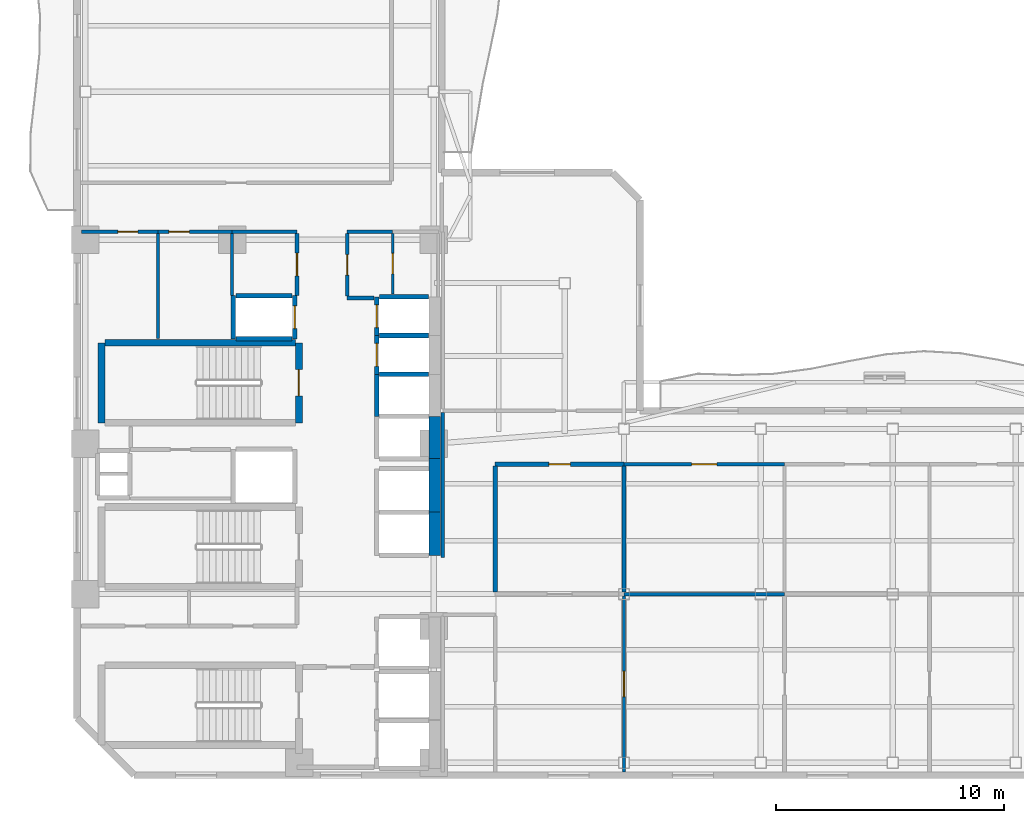
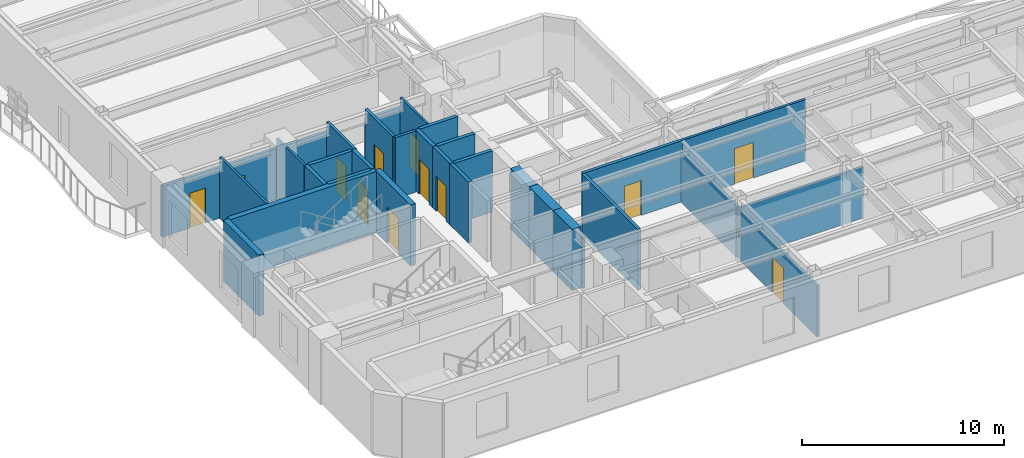
# One storey, part 4 of 9: 33 walls, 12 doors, 12 openings.
"""IFC4 building model written with IfcOpenShell, lengths in metres."""

from ifc_helpers import new_model, si_unit, direction, frame, frame_2d, origin, place, context, subcontext, project, spatial, rectangle, extrude, material, layer, layer_set, type_object, element, fill, save


model = new_model("IFC4")

# Units and contexts
model_context = context("Model", 3, precision=1e-05, world=origin(), true_north=direction((0.0, 1.0)))
body_context = subcontext(model_context, "Body", "Model", "MODEL_VIEW")
ifc_project = project(units=[si_unit("LENGTHUNIT", "METRE"), si_unit("AREAUNIT", "SQUARE_METRE"), si_unit("VOLUMEUNIT", "CUBIC_METRE"), si_unit("PLANEANGLEUNIT", "RADIAN"), si_unit("MASSUNIT", "GRAM", prefix="KILO")], contexts=[model_context])

# Site, building, storey
site_placement = place(None, origin())
site = spatial("IfcSite", under=ifc_project, at=site_placement, CompositionType="ELEMENT")
building_placement = place(site_placement, origin())
building = spatial("IfcBuilding", under=site, at=building_placement, Name="Mawjaban Terraces University", CompositionType="ELEMENT")
storey_placement = place(building_placement, frame((0.0, 0.0, 138.5)))
storey = spatial("IfcBuildingStorey", under=building, at=storey_placement, Name="L33", CompositionType="ELEMENT", Elevation=138.5)

# Wall, opening, door
ifc_material_1 = material(Name="Acoustic masonry blockwork", Category="masonry")
ifc_layer_1 = layer(ifc_material_1, 0.179931640625)
ifc_layer_set_1 = layer_set([ifc_layer_1], Name="Acoustic masonry blockwork")
wall_type_1 = type_object("IfcWallType", Name="AcousticStudioWall_180", PredefinedType="PARTITIONING", material=ifc_layer_set_1)
wall_1_placement = place(storey_placement, frame((40.35009765625, 13.64990234375, 0.0), z_axis=(0.0, 0.0, 1.0), x_axis=(1.0, 0.0, 0.0)))
wall_1 = element("IfcWall", 1, at=wall_1_placement, inside=storey, type_object=wall_type_1, Name="L33 Inner Terrace Gallery Corridor East Partition 16", PredefinedType="PARTITIONING", context=body_context, shape_type="SweptSolid", body=[
    extrude(rectangle(XDim=5.64990234375, YDim=0.179931640625, at=frame_2d((2.824951171875, 0.0))), origin(), (0.0, 0.0, 1.0), 3.68994140625),
])
opening_1_placement = place(wall_1_placement, frame((2.35009765625, 0.0, 0.0)))
opening_1 = element("IfcOpeningElement", 2, at=opening_1_placement, cuts=wall_1, Name="Opening ID-095", PredefinedType="OPENING", context=body_context, shape_type="SweptSolid", body=[
    extrude(rectangle(XDim=0.949951171875, YDim=2.10009765625, at=frame_2d((0.47509765625, 1.050048828125))), frame((0.0, 0.099853515625, 0.0), z_axis=(0.0, -1.0, 0.0), x_axis=(1.0, 0.0, 0.0)), (0.0, 0.0, 1.0), 0.199951171875),
])
ifc_material_2 = material(Name="Powder-coated steel frame and solid acoustic timber leaf", Category="steel")
door_type_1 = type_object("IfcDoorType", Name="StudioDoor_950x2100", OperationType="NOTDEFINED", PredefinedType="DOOR", material=ifc_material_2)
door_1_placement = place(opening_1_placement, origin())
door_1 = element("IfcDoor", 3, at=door_1_placement, inside=storey, type_object=door_type_1, Name="L33 Design Studio 3 Door", OperationType="SINGLE_SWING_LEFT", OverallHeight=2.10009765625, OverallWidth=0.949951171875, PredefinedType="DOOR", context=body_context, shape_type="SweptSolid", body=[
    extrude(rectangle(XDim=0.949951171875, YDim=2.10009765625, at=frame_2d((0.47509765625, 1.050048828125))), frame((0.0, 0.02490234375, 0.0), z_axis=(0.0, -1.0, 0.0), x_axis=(1.0, 0.0, 0.0)), (0.0, 0.0, 1.0), 0.050048828125),
])
fill(opening_1, door_1)

# Walls
wall_2_placement = place(storey_placement, frame((40.35009765625, 8.034912109375, 0.0), z_axis=(0.0, 0.0, 1.0), x_axis=(0.0, 1.0, 0.0)))
element("IfcWall", 4, at=wall_2_placement, inside=storey, type_object=wall_type_1, Name="L33 Inner Gallery Link Corridor Partition 44", PredefinedType="PARTITIONING", context=body_context, shape_type="SweptSolid", body=[
    extrude(rectangle(XDim=5.530029296875, YDim=0.179931640625, at=frame_2d((2.76513671875, 0.0))), origin(), (0.0, 0.0, 1.0), 3.68994140625),
])
wall_3_placement = place(storey_placement, frame((46.0, 8.034912109375, 0.0), z_axis=(0.0, 0.0, 1.0), x_axis=(0.0, 1.0, 0.0)))
element("IfcWall", 5, at=wall_3_placement, inside=storey, type_object=wall_type_1, Name="L33 Design Studio 3 Partition 46", PredefinedType="PARTITIONING", context=body_context, shape_type="SweptSolid", body=[
    extrude(rectangle(XDim=5.530029296875, YDim=0.179931640625, at=frame_2d((2.76513671875, 0.0))), origin(), (0.0, 0.0, 1.0), 3.072998046875),
])
ifc_material_3 = material(Name="Concrete C60/75", Category="concrete")
ifc_layer_2 = layer(ifc_material_3, 0.5)
ifc_layer_set_2 = layer_set([ifc_layer_2], Name="Concrete C60/75")
wall_type_2 = type_object("IfcWallType", Name="CoreShearWall_500", PredefinedType="SHEAR", material=ifc_layer_set_2)
wall_4_placement = place(storey_placement, frame((37.699951171875, 9.64990234375, 0.0), z_axis=(0.0, 0.0, 1.0), x_axis=(0.0, 1.0, 0.0)))
element("IfcWall", 6, at=wall_4_placement, inside=storey, type_object=wall_type_2, Name="L33 Lift PL-H1 Hoistway Wall East", PredefinedType="SHEAR", context=body_context, shape_type="SweptSolid", body=[
    extrude(rectangle(XDim=1.900146484375, YDim=0.5, at=frame_2d((0.9501953125, 0.0))), origin(), (0.0, 0.0, 1.0), 3.68994140625),
])
wall_5_placement = place(storey_placement, frame((37.699951171875, 11.550048828125, 0.0), z_axis=(0.0, 0.0, 1.0), x_axis=(0.0, 1.0, 0.0)))
element("IfcWall", 7, at=wall_5_placement, inside=storey, type_object=wall_type_2, Name="L33 Lift PL-H2 Hoistway Wall East", PredefinedType="SHEAR", context=body_context, shape_type="SweptSolid", body=[
    extrude(rectangle(XDim=2.349853515625, YDim=0.5, at=frame_2d((1.1748046875, 0.0))), origin(), (0.0, 0.0, 1.0), 3.68994140625),
])
wall_6_placement = place(storey_placement, frame((37.699951171875, 13.89990234375, 0.0), z_axis=(0.0, 0.0, 1.0), x_axis=(0.0, 1.0, 0.0)))
element("IfcWall", 8, at=wall_6_placement, inside=storey, type_object=wall_type_2, Name="L33 Lift OL-1 Hoistway Wall East", PredefinedType="SHEAR", context=body_context, shape_type="SweptSolid", body=[
    extrude(rectangle(XDim=1.85009765625, YDim=0.5, at=frame_2d((0.925048828125, 0.0))), origin(), (0.0, 0.0, 1.0), 3.68994140625),
])

# Wall, opening, door
ifc_material_4 = material(Name="Fire-rated gypsum board on steel stud", Category="steel")
ifc_layer_3 = layer(ifc_material_4, 0.159912109375)
ifc_layer_set_3 = layer_set([ifc_layer_3], Name="Fire-rated gypsum board on steel stud")
wall_type_3 = type_object("IfcWallType", Name="CorridorPartition_160", PredefinedType="PARTITIONING", material=ifc_layer_set_3)
wall_7_placement = place(storey_placement, frame((25.550048828125, 23.85009765625, 0.0), z_axis=(0.0, 0.0, 1.0), x_axis=(-1.0, 0.0, 0.0)))
wall_7 = element("IfcWall", 9, at=wall_7_placement, inside=storey, type_object=wall_type_3, Name="L33 Female Toilet Partition 3", PredefinedType="PARTITIONING", context=body_context, shape_type="SweptSolid", body=[
    extrude(rectangle(XDim=3.35009765625, YDim=0.159912109375, at=frame_2d((1.675048828125, 0.0))), origin(), (0.0, 0.0, 1.0), 3.072998046875),
])
opening_2_placement = place(wall_7_placement, frame((0.885009765625, 0.0, 0.0)))
opening_2 = element("IfcOpeningElement", 10, at=opening_2_placement, cuts=wall_7, Name="Opening ID-088", PredefinedType="OPENING", context=body_context, shape_type="SweptSolid", body=[
    extrude(rectangle(XDim=0.8798828125, YDim=2.10009765625, at=frame_2d((0.43994140625, 1.050048828125))), frame((0.0, 0.08984375, 0.0), z_axis=(0.0, -1.0, 0.0), x_axis=(1.0, 0.0, 0.0)), (0.0, 0.0, 1.0), 0.179931640625),
])
door_type_2 = type_object("IfcDoorType", Name="ToiletDoor_880x2100", OperationType="NOTDEFINED", PredefinedType="DOOR", material=ifc_material_2)
door_2_placement = place(opening_2_placement, origin())
door_2 = element("IfcDoor", 11, at=door_2_placement, inside=storey, type_object=door_type_2, Name="L33 Female Toilet Door", OperationType="SINGLE_SWING_LEFT", OverallHeight=2.10009765625, OverallWidth=0.8798828125, PredefinedType="DOOR", context=body_context, shape_type="SweptSolid", body=[
    extrude(rectangle(XDim=0.8798828125, YDim=2.10009765625, at=frame_2d((0.43994140625, 1.050048828125))), frame((0.0, 0.02490234375, 0.0), z_axis=(0.0, -1.0, 0.0), x_axis=(1.0, 0.0, 0.0)), (0.0, 0.0, 1.0), 0.050048828125),
])
fill(opening_2, door_2)

wall_8_placement = place(storey_placement, frame((28.800048828125, 23.85009765625, 0.0), z_axis=(0.0, 0.0, 1.0), x_axis=(-1.0, 0.0, 0.0)))
wall_8 = element("IfcWall", 12, at=wall_8_placement, inside=storey, type_object=wall_type_3, Name="L33 Staff Tea Pantry Partition 5", PredefinedType="PARTITIONING", context=body_context, shape_type="SweptSolid", body=[
    extrude(rectangle(XDim=3.25, YDim=0.159912109375, at=frame_2d((1.625, 0.0))), origin(), (0.0, 0.0, 1.0), 3.072998046875),
])
opening_3_placement = place(wall_8_placement, frame((1.875, 0.0, 0.0)))
opening_3 = element("IfcOpeningElement", 13, at=opening_3_placement, cuts=wall_8, Name="Opening ID-090", PredefinedType="OPENING", context=body_context, shape_type="SweptSolid", body=[
    extrude(rectangle(XDim=0.89990234375, YDim=2.10009765625, at=frame_2d((0.449951171875, 1.050048828125))), frame((0.0, 0.08984375, 0.0), z_axis=(0.0, -1.0, 0.0), x_axis=(1.0, 0.0, 0.0)), (0.0, 0.0, 1.0), 0.179931640625),
])
door_type_3 = type_object("IfcDoorType", Name="OfficeDoor_900x2100", OperationType="NOTDEFINED", PredefinedType="DOOR", material=ifc_material_2)
door_3_placement = place(opening_3_placement, origin())
door_3 = element("IfcDoor", 14, at=door_3_placement, inside=storey, type_object=door_type_3, Name="L33 Staff Tea Pantry Door", OperationType="SINGLE_SWING_RIGHT", OverallHeight=2.10009765625, OverallWidth=0.89990234375, PredefinedType="DOOR", context=body_context, shape_type="SweptSolid", body=[
    extrude(rectangle(XDim=0.89990234375, YDim=2.10009765625, at=frame_2d((0.449951171875, 1.050048828125))), frame((0.0, 0.02490234375, 0.0), z_axis=(0.0, -1.0, 0.0), x_axis=(1.0, 0.0, 0.0)), (0.0, 0.0, 1.0), 0.050048828125),
])
fill(opening_3, door_3)

# Walls
wall_9_placement = place(storey_placement, frame((31.64990234375, 23.85009765625, 0.0), z_axis=(0.0, 0.0, 1.0), x_axis=(-1.0, 0.0, 0.0)))
element("IfcWall", 15, at=wall_9_placement, inside=storey, type_object=wall_type_3, Name="L33 Academic Tutorial Alcove Partition 8", PredefinedType="PARTITIONING", context=body_context, shape_type="SweptSolid", body=[
    extrude(rectangle(XDim=2.849853515625, YDim=0.159912109375, at=frame_2d((1.4248046875, 0.0))), origin(), (0.0, 0.0, 1.0), 3.072998046875),
])
wall_10_placement = place(storey_placement, frame((35.02001953125, 20.949951171875, 0.0), z_axis=(0.0, 0.0, 1.0), x_axis=(-1.0, 0.0, 0.0)))
element("IfcWall", 16, at=wall_10_placement, inside=storey, type_object=wall_type_3, Name="L33 Passenger Lift Lobby Partition 10", PredefinedType="PARTITIONING", context=body_context, shape_type="SweptSolid", body=[
    extrude(rectangle(XDim=1.169921875, YDim=0.159912109375, at=frame_2d((0.5849609375, 0.0))), origin(), (0.0, 0.0, 1.0), 3.68994140625),
])
wall_11_placement = place(storey_placement, frame((35.85009765625, 23.85009765625, 0.0), z_axis=(0.0, 0.0, 1.0), x_axis=(-1.0, 0.0, 0.0)))
element("IfcWall", 17, at=wall_11_placement, inside=storey, type_object=wall_type_3, Name="L33 Departmental Resource Seminar Room Partition 13", PredefinedType="PARTITIONING", context=body_context, shape_type="SweptSolid", body=[
    extrude(rectangle(XDim=2.0, YDim=0.159912109375, at=frame_2d((1.0, 0.0))), origin(), (0.0, 0.0, 1.0), 3.072998046875),
])

# Wall, opening, door
wall_12_placement = place(storey_placement, frame((31.64990234375, 23.77490234375, 0.0), z_axis=(0.0, 0.0, 1.0), x_axis=(0.0, -1.0, 0.0)))
wall_12 = element("IfcWall", 18, at=wall_12_placement, inside=storey, type_object=wall_type_3, Name="L33 Core North Lift Lobby Partition 33", PredefinedType="PARTITIONING", context=body_context, shape_type="SweptSolid", body=[
    extrude(rectangle(XDim=2.724853515625, YDim=0.159912109375, at=frame_2d((1.3623046875, 0.0))), origin(), (0.0, 0.0, 1.0), 3.68994140625),
])
opening_4_placement = place(wall_12_placement, frame((0.862060546875, 0.0, 0.0)))
opening_4 = element("IfcOpeningElement", 19, at=opening_4_placement, cuts=wall_12, Name="Opening ID-100", PredefinedType="OPENING", context=body_context, shape_type="SweptSolid", body=[
    extrude(rectangle(XDim=1.0, YDim=2.10009765625, at=frame_2d((0.5, 1.050048828125))), frame((0.0, 0.08984375, 0.0), z_axis=(0.0, -1.0, 0.0), x_axis=(1.0, 0.0, 0.0)), (0.0, 0.0, 1.0), 0.179931640625),
])
door_type_4 = type_object("IfcDoorType", Name="ClassroomDoor_1000x2100", OperationType="NOTDEFINED", PredefinedType="DOOR", material=ifc_material_2)
door_4_placement = place(opening_4_placement, origin())
door_4 = element("IfcDoor", 20, at=door_4_placement, inside=storey, type_object=door_type_4, Name="L33 Academic Tutorial Alcove Door", OperationType="SINGLE_SWING_LEFT", OverallHeight=2.10009765625, OverallWidth=1.0, PredefinedType="DOOR", context=body_context, shape_type="SweptSolid", body=[
    extrude(rectangle(XDim=1.0, YDim=2.10009765625, at=frame_2d((0.5, 1.050048828125))), frame((0.0, 0.02490234375, 0.0), z_axis=(0.0, -1.0, 0.0), x_axis=(1.0, 0.0, 0.0)), (0.0, 0.0, 1.0), 0.050048828125),
])
fill(opening_4, door_4)

wall_13_placement = place(storey_placement, frame((33.85009765625, 21.02490234375, 0.0), z_axis=(0.0, 0.0, 1.0), x_axis=(0.0, 1.0, 0.0)))
wall_13 = element("IfcWall", 21, at=wall_13_placement, inside=storey, type_object=wall_type_3, Name="L33 Core North Lift Lobby Partition 34", PredefinedType="PARTITIONING", context=body_context, shape_type="SweptSolid", body=[
    extrude(rectangle(XDim=2.75, YDim=0.159912109375, at=frame_2d((1.375, 0.0))), origin(), (0.0, 0.0, 1.0), 3.68994140625),
])
opening_5_placement = place(wall_13_placement, frame((0.925048828125, 0.0, 0.0)))
opening_5 = element("IfcOpeningElement", 22, at=opening_5_placement, cuts=wall_13, Name="Opening ID-090", PredefinedType="OPENING", context=body_context, shape_type="SweptSolid", body=[
    extrude(rectangle(XDim=0.89990234375, YDim=2.10009765625, at=frame_2d((0.449951171875, 1.050048828125))), frame((0.0, 0.08984375, 0.0), z_axis=(0.0, -1.0, 0.0), x_axis=(1.0, 0.0, 0.0)), (0.0, 0.0, 1.0), 0.179931640625),
])
door_5_placement = place(opening_5_placement, origin())
door_5 = element("IfcDoor", 23, at=door_5_placement, inside=storey, type_object=door_type_3, Name="L33 Departmental Resource Seminar Room Door", OperationType="SINGLE_SWING_LEFT", OverallHeight=2.10009765625, OverallWidth=0.89990234375, PredefinedType="DOOR", context=body_context, shape_type="SweptSolid", body=[
    extrude(rectangle(XDim=0.89990234375, YDim=2.10009765625, at=frame_2d((0.449951171875, 1.050048828125))), frame((0.0, 0.02490234375, 0.0), z_axis=(0.0, -1.0, 0.0), x_axis=(1.0, 0.0, 0.0)), (0.0, 0.0, 1.0), 0.050048828125),
])
fill(opening_5, door_5)

# Walls
wall_14_placement = place(storey_placement, frame((38.050048828125, 15.925048828125, 0.0), z_axis=(0.0, 0.0, 1.0), x_axis=(0.0, -1.0, 0.0)))
element("IfcWall", 24, at=wall_14_placement, inside=storey, type_object=wall_type_3, Name="L33 Inner Gallery Link Corridor Partition 41", PredefinedType="PARTITIONING", context=body_context, shape_type="SweptSolid", body=[
    extrude(rectangle(XDim=6.375, YDim=0.159912109375, at=frame_2d((3.1875, 0.0))), origin(), (0.0, 0.0, 1.0), 3.072998046875),
])
ifc_material_5 = material(Name="Concrete C40/50", Category="concrete")
ifc_layer_4 = layer(ifc_material_5, 0.199951171875)
ifc_layer_set_4 = layer_set([ifc_layer_4], Name="Concrete C40/50")
wall_type_4 = type_object("IfcWallType", Name="FireLobbyWall_200", PredefinedType="SOLIDWALL", material=ifc_layer_set_4)
wall_15_placement = place(storey_placement, frame((35.14990234375, 17.60009765625, 0.0), z_axis=(0.0, 0.0, 1.0), x_axis=(0.0, -1.0, 0.0)))
element("IfcWall", 25, at=wall_15_placement, inside=storey, type_object=wall_type_4, Name="L33 Lift OL-2 Hoistway Wall West", PredefinedType="SOLIDWALL", context=body_context, shape_type="SweptSolid", body=[
    extrude(rectangle(XDim=1.85009765625, YDim=0.199951171875, at=frame_2d((0.925048828125, 0.0))), origin(), (0.0, 0.0, 1.0), 3.68994140625),
])
wall_16_placement = place(storey_placement, frame((37.419921875, 17.60009765625, 0.0), z_axis=(0.0, 0.0, 1.0), x_axis=(-1.0, 0.0, 0.0)))
element("IfcWall", 26, at=wall_16_placement, inside=storey, type_object=wall_type_4, Name="L33 Lift OL-2 Hoistway Wall North", PredefinedType="SOLIDWALL", context=body_context, shape_type="SweptSolid", body=[
    extrude(rectangle(XDim=2.139892578125, YDim=0.199951171875, at=frame_2d((1.06982421875, 0.0))), origin(), (0.0, 0.0, 1.0), 3.68994140625),
])

# Wall, opening, door
wall_17_placement = place(storey_placement, frame((35.14990234375, 19.300048828125, 0.0), z_axis=(0.0, 0.0, 1.0), x_axis=(0.0, -1.0, 0.0)))
wall_17 = element("IfcWall", 27, at=wall_17_placement, inside=storey, type_object=wall_type_4, Name="L33 Lift PL-M1 Hoistway Wall West", PredefinedType="SOLIDWALL", context=body_context, shape_type="SweptSolid", body=[
    extrude(rectangle(XDim=1.699951171875, YDim=0.199951171875, at=frame_2d((0.85009765625, 0.0))), origin(), (0.0, 0.0, 1.0), 3.68994140625),
])
opening_6_placement = place(wall_17_placement, frame((0.35009765625, 0.0, 0.0)))
opening_6 = element("IfcOpeningElement", 28, at=opening_6_placement, cuts=wall_17, Name="Opening LD-PL-M1", PredefinedType="OPENING", context=body_context, shape_type="SweptSolid", body=[
    extrude(rectangle(XDim=1.0, YDim=2.10009765625, at=frame_2d((0.5, 1.050048828125))), frame((0.0, 0.10986328125, 0.0), z_axis=(0.0, -1.0, 0.0), x_axis=(1.0, 0.0, 0.0)), (0.0, 0.0, 1.0), 0.219970703125),
])
ifc_material_6 = material(Name="Powder-coated steel frame and fire-rated steel-faced leaf", Category="steel")
door_type_5 = type_object("IfcDoorType", Name="LiftLandingSliding_1000x2100", OperationType="NOTDEFINED", PredefinedType="DOOR", material=ifc_material_6)
door_6_placement = place(opening_6_placement, origin())
door_6 = element("IfcDoor", 29, at=door_6_placement, inside=storey, type_object=door_type_5, Name="L33 Lift PL-M1 Sliding Landing Door", OperationType="DOUBLE_DOOR_SLIDING", OverallHeight=2.10009765625, OverallWidth=1.0, PredefinedType="DOOR", context=body_context, shape_type="SweptSolid", body=[
    extrude(rectangle(XDim=1.0, YDim=2.10009765625, at=frame_2d((0.5, 1.050048828125))), frame((0.0, 0.02490234375, 0.0), z_axis=(0.0, -1.0, 0.0), x_axis=(1.0, 0.0, 0.0)), (0.0, 0.0, 1.0), 0.050048828125),
])
fill(opening_6, door_6)

# Wall
wall_18_placement = place(storey_placement, frame((37.419921875, 19.300048828125, 0.0), z_axis=(0.0, 0.0, 1.0), x_axis=(-1.0, 0.0, 0.0)))
element("IfcWall", 30, at=wall_18_placement, inside=storey, type_object=wall_type_4, Name="L33 Lift PL-M1 Hoistway Wall North", PredefinedType="SOLIDWALL", context=body_context, shape_type="SweptSolid", body=[
    extrude(rectangle(XDim=2.139892578125, YDim=0.199951171875, at=frame_2d((1.06982421875, 0.0))), origin(), (0.0, 0.0, 1.0), 3.68994140625),
])

# Wall, opening, door
wall_19_placement = place(storey_placement, frame((35.14990234375, 21.0, 0.0), z_axis=(0.0, 0.0, 1.0), x_axis=(0.0, -1.0, 0.0)))
wall_19 = element("IfcWall", 31, at=wall_19_placement, inside=storey, type_object=wall_type_4, Name="L33 Lift PL-M2 Hoistway Wall West", PredefinedType="SOLIDWALL", context=body_context, shape_type="SweptSolid", body=[
    extrude(rectangle(XDim=1.699951171875, YDim=0.199951171875, at=frame_2d((0.85009765625, 0.0))), origin(), (0.0, 0.0, 1.0), 3.68994140625),
])
opening_7_placement = place(wall_19_placement, frame((0.35009765625, 0.0, 0.0)))
opening_7 = element("IfcOpeningElement", 32, at=opening_7_placement, cuts=wall_19, Name="Opening LD-PL-M2", PredefinedType="OPENING", context=body_context, shape_type="SweptSolid", body=[
    extrude(rectangle(XDim=1.0, YDim=2.10009765625, at=frame_2d((0.5, 1.050048828125))), frame((0.0, 0.10986328125, 0.0), z_axis=(0.0, -1.0, 0.0), x_axis=(1.0, 0.0, 0.0)), (0.0, 0.0, 1.0), 0.219970703125),
])
door_7_placement = place(opening_7_placement, origin())
door_7 = element("IfcDoor", 33, at=door_7_placement, inside=storey, type_object=door_type_5, Name="L33 Lift PL-M2 Sliding Landing Door", OperationType="DOUBLE_DOOR_SLIDING", OverallHeight=2.10009765625, OverallWidth=1.0, PredefinedType="DOOR", context=body_context, shape_type="SweptSolid", body=[
    extrude(rectangle(XDim=1.0, YDim=2.10009765625, at=frame_2d((0.5, 1.050048828125))), frame((0.0, 0.02490234375, 0.0), z_axis=(0.0, -1.0, 0.0), x_axis=(1.0, 0.0, 0.0)), (0.0, 0.0, 1.0), 0.050048828125),
])
fill(opening_7, door_7)

# Walls
wall_20_placement = place(storey_placement, frame((37.419921875, 21.0, 0.0), z_axis=(0.0, 0.0, 1.0), x_axis=(-1.0, 0.0, 0.0)))
element("IfcWall", 34, at=wall_20_placement, inside=storey, type_object=wall_type_4, Name="L33 Lift PL-M2 Hoistway Wall North", PredefinedType="SOLIDWALL", context=body_context, shape_type="SweptSolid", body=[
    extrude(rectangle(XDim=2.139892578125, YDim=0.199951171875, at=frame_2d((1.06982421875, 0.0))), origin(), (0.0, 0.0, 1.0), 3.68994140625),
])
wall_21_placement = place(storey_placement, frame((28.85009765625, 21.050048828125, 0.0), z_axis=(0.0, 0.0, 1.0), x_axis=(0.0, -1.0, 0.0)))
element("IfcWall", 35, at=wall_21_placement, inside=storey, type_object=wall_type_4, Name="L33 Lift PL-M3 Hoistway Wall West", PredefinedType="SOLIDWALL", context=body_context, shape_type="SweptSolid", body=[
    extrude(rectangle(XDim=1.900146484375, YDim=0.199951171875, at=frame_2d((0.9501953125, 0.0))), origin(), (0.0, 0.0, 1.0), 3.68994140625),
])

# Wall, opening, door
wall_22_placement = place(storey_placement, frame((31.550048828125, 19.14990234375, 0.0), z_axis=(0.0, 0.0, 1.0), x_axis=(0.0, 1.0, 0.0)))
wall_22 = element("IfcWall", 36, at=wall_22_placement, inside=storey, type_object=wall_type_4, Name="L33 Lift PL-M3 Hoistway Wall East", PredefinedType="SOLIDWALL", context=body_context, shape_type="SweptSolid", body=[
    extrude(rectangle(XDim=1.900146484375, YDim=0.199951171875, at=frame_2d((0.9501953125, 0.0))), origin(), (0.0, 0.0, 1.0), 3.68994140625),
])
opening_8_placement = place(wall_22_placement, frame((0.449951171875, 0.0, 0.0)))
opening_8 = element("IfcOpeningElement", 37, at=opening_8_placement, cuts=wall_22, Name="Opening LD-PL-M3", PredefinedType="OPENING", context=body_context, shape_type="SweptSolid", body=[
    extrude(rectangle(XDim=1.0, YDim=2.10009765625, at=frame_2d((0.5, 1.050048828125))), frame((0.0, 0.10986328125, 0.0), z_axis=(0.0, -1.0, 0.0), x_axis=(1.0, 0.0, 0.0)), (0.0, 0.0, 1.0), 0.219970703125),
])
door_8_placement = place(opening_8_placement, origin())
door_8 = element("IfcDoor", 38, at=door_8_placement, inside=storey, type_object=door_type_5, Name="L33 Lift PL-M3 Sliding Landing Door", OperationType="DOUBLE_DOOR_SLIDING", OverallHeight=2.10009765625, OverallWidth=1.0, PredefinedType="DOOR", context=body_context, shape_type="SweptSolid", body=[
    extrude(rectangle(XDim=1.0, YDim=2.10009765625, at=frame_2d((0.5, 1.050048828125))), frame((0.0, 0.02490234375, 0.0), z_axis=(0.0, -1.0, 0.0), x_axis=(1.0, 0.0, 0.0)), (0.0, 0.0, 1.0), 0.050048828125),
])
fill(opening_8, door_8)

# Walls
for number, where, z_axis, x_axis, name in (
    (39, (28.97998046875, 19.14990234375, 0.0), (0.0, 0.0, 1.0), (1.0, 0.0, 0.0), "L33 Lift PL-M3 Hoistway Wall South"),
    (40, (31.419921875, 21.050048828125, 0.0), (0.0, 0.0, 1.0), (-1.0, 0.0, 0.0), "L33 Lift PL-M3 Hoistway Wall North"),
):
    element("IfcWall", number, at=place(storey_placement, frame(where, z_axis=z_axis, x_axis=x_axis)), inside=storey, type_object=wall_type_4, Name=name, PredefinedType="SOLIDWALL", context=body_context, shape_type="SweptSolid", body=[
        extrude(rectangle(XDim=2.43994140625, YDim=0.199951171875, at=frame_2d((1.219970703125, 0.0))), origin(), (0.0, 0.0, 1.0), 3.68994140625),
    ])

# Wall, opening, door
ifc_material_7 = material(Name="Moisture-resistant gypsum board on steel stud", Category="steel")
ifc_layer_5 = layer(ifc_material_7, 0.14501953125)
ifc_layer_set_5 = layer_set([ifc_layer_5], Name="Moisture-resistant gypsum board on steel stud")
wall_type_5 = type_object("IfcWallType", Name="LabPartition_145", PredefinedType="PARTITIONING", material=ifc_layer_set_5)
wall_23_placement = place(storey_placement, frame((46.0, 13.64990234375, 0.0), z_axis=(0.0, 0.0, 1.0), x_axis=(1.0, 0.0, 0.0)))
wall_23 = element("IfcWall", 41, at=wall_23_placement, inside=storey, type_object=wall_type_5, Name="L33 Inner Terrace Gallery Corridor East Partition 20", PredefinedType="PARTITIONING", context=body_context, shape_type="SweptSolid", body=[
    extrude(rectangle(XDim=7.050048828125, YDim=0.14501953125, at=frame_2d((3.52490234375, 0.0))), origin(), (0.0, 0.0, 1.0), 3.68994140625),
])
opening_9_placement = place(wall_23_placement, frame((2.97509765625, 0.0, 0.0)))
opening_9 = element("IfcOpeningElement", 42, at=opening_9_placement, cuts=wall_23, Name="Opening ID-110", PredefinedType="OPENING", context=body_context, shape_type="SweptSolid", body=[
    extrude(rectangle(XDim=1.10009765625, YDim=2.14990234375, at=frame_2d((0.550048828125, 1.074951171875))), frame((0.0, 0.08251953125, 0.0), z_axis=(0.0, -1.0, 0.0), x_axis=(1.0, 0.0, 0.0)), (0.0, 0.0, 1.0), 0.1650390625),
])
door_type_6 = type_object("IfcDoorType", Name="LabDoor_1100x2150", OperationType="NOTDEFINED", PredefinedType="DOOR", material=ifc_material_2)
door_9_placement = place(opening_9_placement, origin())
door_9 = element("IfcDoor", 43, at=door_9_placement, inside=storey, type_object=door_type_6, Name="L33 Teaching Laboratory 5 Door", OperationType="SINGLE_SWING_RIGHT", OverallHeight=2.14990234375, OverallWidth=1.10009765625, PredefinedType="DOOR", context=body_context, shape_type="SweptSolid", body=[
    extrude(rectangle(XDim=1.10009765625, YDim=2.14990234375, at=frame_2d((0.550048828125, 1.074951171875))), frame((0.0, 0.02490234375, 0.0), z_axis=(0.0, -1.0, 0.0), x_axis=(1.0, 0.0, 0.0)), (0.0, 0.0, 1.0), 0.050048828125),
])
fill(opening_9, door_9)

# Wall
wall_24_placement = place(storey_placement, frame((53.050048828125, 7.949951171875, 0.0), z_axis=(0.0, 0.0, 1.0), x_axis=(-1.0, 0.0, 0.0)))
element("IfcWall", 44, at=wall_24_placement, inside=storey, type_object=wall_type_5, Name="L33 Computational Laboratory 4 Partition 21", PredefinedType="PARTITIONING", context=body_context, shape_type="SweptSolid", body=[
    extrude(rectangle(XDim=7.050048828125, YDim=0.14501953125, at=frame_2d((3.52490234375, 0.0))), origin(), (0.0, 0.0, 1.0), 3.072998046875),
])

# Wall, opening, door
wall_25_placement = place(storey_placement, frame((46.0, 0.14501953125, 0.0), z_axis=(0.0, 0.0, 1.0), x_axis=(0.0, 1.0, 0.0)))
wall_25 = element("IfcWall", 45, at=wall_25_placement, inside=storey, type_object=wall_type_5, Name="L33 Teaching Laboratory 2 Partition 45", PredefinedType="PARTITIONING", context=body_context, shape_type="SweptSolid", body=[
    extrude(rectangle(XDim=7.719970703125, YDim=0.14501953125, at=frame_2d((3.85986328125, 0.0))), origin(), (0.0, 0.0, 1.0), 3.072998046875),
])
opening_10_placement = place(wall_25_placement, frame((3.31005859375, 0.0, 0.0)))
opening_10 = element("IfcOpeningElement", 46, at=opening_10_placement, cuts=wall_25, Name="Opening ID-110", PredefinedType="OPENING", context=body_context, shape_type="SweptSolid", body=[
    extrude(rectangle(XDim=1.10009765625, YDim=2.14990234375, at=frame_2d((0.550048828125, 1.074951171875))), frame((0.0, 0.08251953125, 0.0), z_axis=(0.0, -1.0, 0.0), x_axis=(1.0, 0.0, 0.0)), (0.0, 0.0, 1.0), 0.1650390625),
])
door_10_placement = place(opening_10_placement, origin())
door_10 = element("IfcDoor", 47, at=door_10_placement, inside=storey, type_object=door_type_6, Name="L33 Computational Laboratory 4 Door", OperationType="SINGLE_SWING_RIGHT", OverallHeight=2.14990234375, OverallWidth=1.10009765625, PredefinedType="DOOR", context=body_context, shape_type="SweptSolid", body=[
    extrude(rectangle(XDim=1.10009765625, YDim=2.14990234375, at=frame_2d((0.550048828125, 1.074951171875))), frame((0.0, 0.02490234375, 0.0), z_axis=(0.0, -1.0, 0.0), x_axis=(1.0, 0.0, 0.0)), (0.0, 0.0, 1.0), 0.050048828125),
])
fill(opening_10, door_10)

# Wall
ifc_material_8 = material(Name="Gypsum plasterboard on steel stud", Category="steel")
ifc_layer_6 = layer(ifc_material_8, 0.125)
ifc_layer_set_6 = layer_set([ifc_layer_6], Name="Gypsum plasterboard on steel stud")
wall_type_6 = type_object("IfcWallType", Name="OfficePartition_125", PredefinedType="PARTITIONING", material=ifc_layer_set_6)
wall_26_placement = place(storey_placement, frame((28.800048828125, 23.77490234375, 0.0), z_axis=(0.0, 0.0, 1.0), x_axis=(0.0, -1.0, 0.0)))
element("IfcWall", 48, at=wall_26_placement, inside=storey, type_object=wall_type_6, Name="L33 Academic Tutorial Alcove Partition 31", PredefinedType="PARTITIONING", context=body_context, shape_type="SweptSolid", body=[
    extrude(rectangle(XDim=2.724853515625, YDim=0.125, at=frame_2d((1.3623046875, 0.0))), origin(), (0.0, 0.0, 1.0), 3.68994140625),
])

# Wall, opening, door
wall_27_placement = place(storey_placement, frame((35.85009765625, 21.1298828125, 0.0), z_axis=(0.0, 0.0, 1.0), x_axis=(0.0, 1.0, 0.0)))
wall_27 = element("IfcWall", 49, at=wall_27_placement, inside=storey, type_object=wall_type_6, Name="L33 Departmental Resource Seminar Room Partition 37", PredefinedType="PARTITIONING", context=body_context, shape_type="SweptSolid", body=[
    extrude(rectangle(XDim=2.64501953125, YDim=0.125, at=frame_2d((1.322509765625, 0.0))), origin(), (0.0, 0.0, 1.0), 3.68994140625),
])
opening_11_placement = place(wall_27_placement, frame((0.8720703125, 0.0, 0.0)))
opening_11 = element("IfcOpeningElement", 50, at=opening_11_placement, cuts=wall_27, Name="Opening ID-090", PredefinedType="OPENING", context=body_context, shape_type="SweptSolid", body=[
    extrude(rectangle(XDim=0.89990234375, YDim=2.10009765625, at=frame_2d((0.449951171875, 1.050048828125))), frame((0.0, 0.072509765625, 0.0), z_axis=(0.0, -1.0, 0.0), x_axis=(1.0, 0.0, 0.0)), (0.0, 0.0, 1.0), 0.14501953125),
])
door_11_placement = place(opening_11_placement, origin())
door_11 = element("IfcDoor", 51, at=door_11_placement, inside=storey, type_object=door_type_3, Name="L33 Faculty Archive Closet Door", OperationType="SINGLE_SWING_RIGHT", OverallHeight=2.10009765625, OverallWidth=0.89990234375, PredefinedType="DOOR", context=body_context, shape_type="SweptSolid", body=[
    extrude(rectangle(XDim=0.89990234375, YDim=2.10009765625, at=frame_2d((0.449951171875, 1.050048828125))), frame((0.0, 0.02490234375, 0.0), z_axis=(0.0, -1.0, 0.0), x_axis=(1.0, 0.0, 0.0)), (0.0, 0.0, 1.0), 0.050048828125),
])
fill(opening_11, door_11)

# Walls
ifc_layer_7 = layer(ifc_material_3, 0.300048828125)
ifc_layer_set_7 = layer_set([ifc_layer_7], Name="Concrete C60/75")
wall_type_7 = type_object("IfcWallType", Name="StairShaftWall_300", PredefinedType="SHEAR", material=ifc_layer_set_7)
wall_28_placement = place(storey_placement, frame((31.580078125, 18.97998046875, 0.0), z_axis=(0.0, 0.0, 1.0), x_axis=(-1.0, 0.0, 0.0)))
element("IfcWall", 52, at=wall_28_placement, inside=storey, type_object=wall_type_7, Name="L33 ST-2 Stair Shaft Wall 1", PredefinedType="SHEAR", context=body_context, shape_type="SweptSolid", body=[
    extrude(rectangle(XDim=8.360107421875, YDim=0.300048828125, at=frame_2d((4.18017578125, 0.0))), origin(), (0.0, 0.0, 1.0), 3.68994140625),
])
wall_29_placement = place(storey_placement, frame((23.070068359375, 18.97998046875, 0.0), z_axis=(0.0, 0.0, 1.0), x_axis=(0.0, -1.0, 0.0)))
element("IfcWall", 53, at=wall_29_placement, inside=storey, type_object=wall_type_7, Name="L33 ST-2 Stair Shaft Wall 2", PredefinedType="SHEAR", context=body_context, shape_type="SweptSolid", body=[
    extrude(rectangle(XDim=3.510009765625, YDim=0.300048828125, at=frame_2d((1.7548828125, 0.0))), origin(), (0.0, 0.0, 1.0), 3.68994140625),
])

# Wall, opening, door
wall_30_placement = place(storey_placement, frame((31.72998046875, 15.469970703125, 0.0), z_axis=(0.0, 0.0, 1.0), x_axis=(0.0, 1.0, 0.0)))
wall_30 = element("IfcWall", 54, at=wall_30_placement, inside=storey, type_object=wall_type_7, Name="L33 ST-2 Stair Shaft Wall 4", PredefinedType="SHEAR", context=body_context, shape_type="SweptSolid", body=[
    extrude(rectangle(XDim=3.510009765625, YDim=0.300048828125, at=frame_2d((1.7548828125, 0.0))), origin(), (0.0, 0.0, 1.0), 3.68994140625),
])
opening_12_placement = place(wall_30_placement, frame((1.179931640625, 0.0, 0.0)))
opening_12 = element("IfcOpeningElement", 55, at=opening_12_placement, cuts=wall_30, Name="Opening FD-115", PredefinedType="OPENING", context=body_context, shape_type="SweptSolid", body=[
    extrude(rectangle(XDim=1.14990234375, YDim=2.14990234375, at=frame_2d((0.574951171875, 1.074951171875))), frame((0.0, 0.159912109375, 0.0), z_axis=(0.0, -1.0, 0.0), x_axis=(1.0, 0.0, 0.0)), (0.0, 0.0, 1.0), 0.320068359375),
])
door_type_7 = type_object("IfcDoorType", Name="FireStairDoor_1150x2150", OperationType="NOTDEFINED", PredefinedType="DOOR", material=ifc_material_6)
door_12_placement = place(opening_12_placement, origin())
door_12 = element("IfcDoor", 56, at=door_12_placement, inside=storey, type_object=door_type_7, Name="L33 ST-2 Pressurised Stair Fire Door", OperationType="SINGLE_SWING_RIGHT", OverallHeight=2.14990234375, OverallWidth=1.14990234375, PredefinedType="DOOR", context=body_context, shape_type="SweptSolid", body=[
    extrude(rectangle(XDim=1.14990234375, YDim=2.14990234375, at=frame_2d((0.574951171875, 1.074951171875))), frame((0.0, 0.02490234375, 0.0), z_axis=(0.0, -1.0, 0.0), x_axis=(1.0, 0.0, 0.0)), (0.0, 0.0, 1.0), 0.050048828125),
])
fill(opening_12, door_12)

# Wall
ifc_material_9 = material(Name="Cement-board wet-room partition", Category="masonry")
ifc_layer_8 = layer(ifc_material_9, 0.135009765625)
ifc_layer_set_8 = layer_set([ifc_layer_8], Name="Cement-board wet-room partition")
wall_type_8 = type_object("IfcWallType", Name="WetRoomPartition_135", PredefinedType="PARTITIONING", material=ifc_layer_set_8)
wall_31_placement = place(storey_placement, frame((25.550048828125, 19.159912109375, 0.0), z_axis=(0.0, 0.0, 1.0), x_axis=(0.0, 1.0, 0.0)))
element("IfcWall", 57, at=wall_31_placement, inside=storey, type_object=wall_type_8, Name="L33 Female Toilet Partition 29", PredefinedType="PARTITIONING", context=body_context, shape_type="SweptSolid", body=[
    extrude(rectangle(XDim=4.614990234375, YDim=0.135009765625, at=frame_2d((2.3076171875, 0.0))), origin(), (0.0, 0.0, 1.0), 3.68994140625),
])

save(model, "model.ifc")
